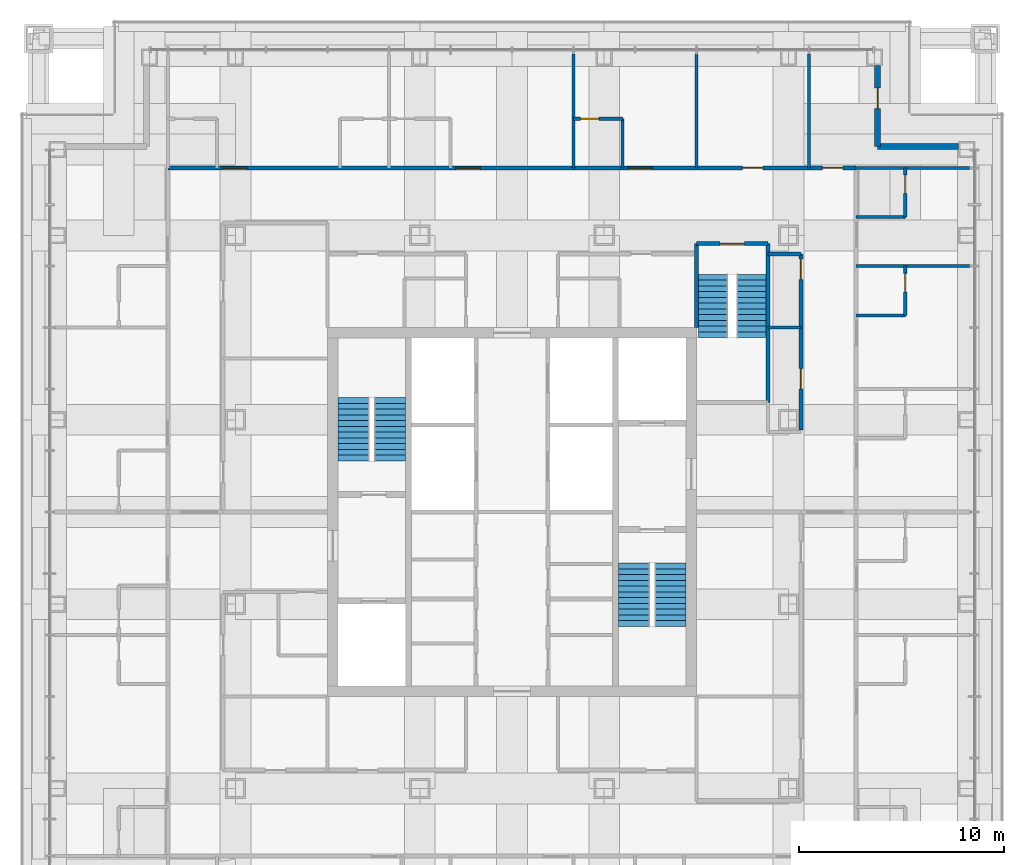
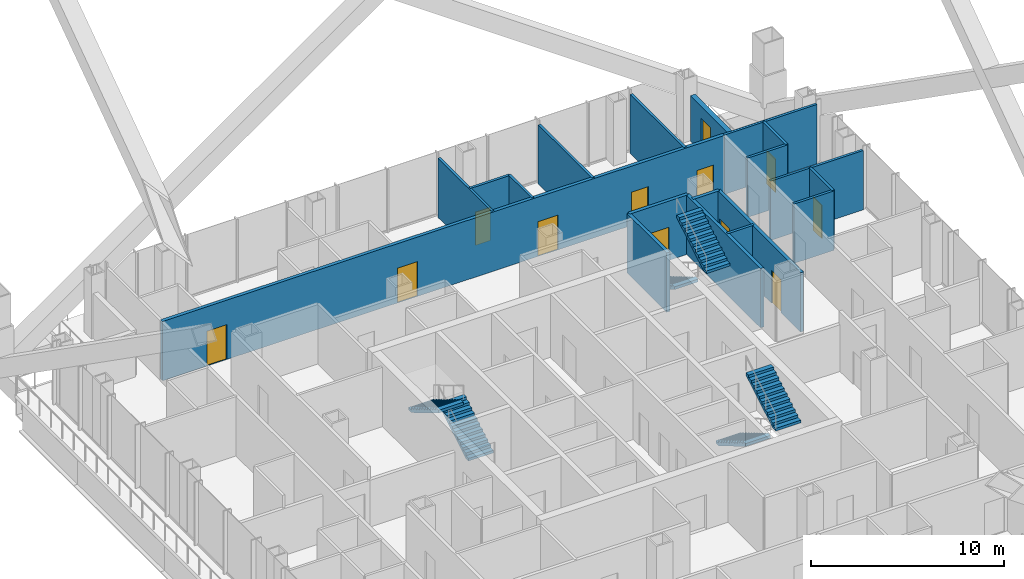
# One storey, part 15 of 18: 20 walls, 12 doors, 6 stair flights, 12 openings, 3 elements without a shape of their own.
"""IFC4 building model written with IfcOpenShell, lengths in metres."""

from ifc_helpers import new_model, si_unit, direction, frame, frame_2d, origin, place, context, subcontext, project, spatial, polyline, rectangle, outline, extrude, material, layer, layer_set, type_object, element, fill, aggregate, save


model = new_model("IFC4")

# Units and contexts
model_context = context("Model", 3, precision=1e-05, world=origin(), true_north=direction((0.0, 1.0)))
body_context = subcontext(model_context, "Body", "Model", "MODEL_VIEW")
ifc_project = project(units=[si_unit("LENGTHUNIT", "METRE"), si_unit("AREAUNIT", "SQUARE_METRE"), si_unit("VOLUMEUNIT", "CUBIC_METRE"), si_unit("PLANEANGLEUNIT", "RADIAN"), si_unit("MASSUNIT", "GRAM", prefix="KILO")], contexts=[model_context])

# Site, building, storey
site_placement = place(None, origin())
site = spatial("IfcSite", under=ifc_project, at=site_placement, CompositionType="ELEMENT")
building_placement = place(site_placement, origin())
building = spatial("IfcBuilding", under=site, at=building_placement, Name="Malebo Sky Hospital", CompositionType="ELEMENT")
storey_placement = place(building_placement, frame((0.0, 0.0, 177.0)))
storey = spatial("IfcBuildingStorey", under=building, at=storey_placement, Name="L42", CompositionType="ELEMENT", Elevation=177.0)

# Wall, openings, doors
ifc_material_1 = material(Name="Gypsum board on steel studs", Category="steel")
ifc_layer_1 = layer(ifc_material_1, 0.199951171875)
ifc_layer_set_1 = layer_set([ifc_layer_1], Name="CORRIDOR WALL 200")
wall_type_1 = type_object("IfcWallType", Name="CORRIDOR WALL 200", PredefinedType="PARTITIONING", material=ifc_layer_set_1)
wall_1_placement = place(storey_placement, frame((43.199951171875, 78.800048828125, 0.0), z_axis=(0.0, 0.0, 1.0), x_axis=(1.0, 0.0, 0.0)))
wall_1 = element("IfcWall", 1, at=wall_1_placement, inside=storey, type_object=wall_type_1, Name="Corridor Wall 200 NCO", PredefinedType="PARTITIONING", context=body_context, shape_type="SweptSolid", body=[
    extrude(rectangle(XDim=33.60009765625, YDim=0.199951171875, at=frame_2d((16.800048828125, 0.0))), origin(), (0.0, 0.0, 1.0), 3.75),
])
opening_1_placement = place(wall_1_placement, frame((2.64990234375, 0.0, 0.0)))
opening_1 = element("IfcOpeningElement", 2, at=opening_1_placement, cuts=wall_1, Name="Opening D01", PredefinedType="OPENING", context=body_context, shape_type="SweptSolid", body=[
    extrude(rectangle(XDim=1.199951171875, YDim=2.199951171875, at=frame_2d((0.60009765625, 1.10009765625))), frame((0.0, 0.10986328125, 0.0), z_axis=(0.0, -1.0, 0.0), x_axis=(1.0, 0.0, 0.0)), (0.0, 0.0, 1.0), 0.219970703125),
])
opening_2_placement = place(wall_1_placement, frame((14.050048828125, 0.0, 0.0)))
opening_2 = element("IfcOpeningElement", 3, at=opening_2_placement, cuts=wall_1, Name="Opening D01", PredefinedType="OPENING", context=body_context, shape_type="SweptSolid", body=[
    extrude(rectangle(XDim=1.199951171875, YDim=2.199951171875, at=frame_2d((0.60009765625, 1.10009765625))), frame((0.0, 0.10986328125, 0.0), z_axis=(0.0, -1.0, 0.0), x_axis=(1.0, 0.0, 0.0)), (0.0, 0.0, 1.0), 0.219970703125),
])
opening_3_placement = place(wall_1_placement, frame((22.449951171875, 0.0, 0.0)))
opening_3 = element("IfcOpeningElement", 4, at=opening_3_placement, cuts=wall_1, Name="Opening D01", PredefinedType="OPENING", context=body_context, shape_type="SweptSolid", body=[
    extrude(rectangle(XDim=1.199951171875, YDim=2.199951171875, at=frame_2d((0.60009765625, 1.10009765625))), frame((0.0, 0.10986328125, 0.0), z_axis=(0.0, -1.0, 0.0), x_axis=(1.0, 0.0, 0.0)), (0.0, 0.0, 1.0), 0.219970703125),
])
opening_4_placement = place(wall_1_placement, frame((28.050048828125, 0.0, 0.0)))
opening_4 = element("IfcOpeningElement", 5, at=opening_4_placement, cuts=wall_1, Name="Opening D03", PredefinedType="OPENING", context=body_context, shape_type="SweptSolid", body=[
    extrude(rectangle(XDim=1.0, YDim=2.10009765625, at=frame_2d((0.5, 1.050048828125))), frame((0.0, 0.10986328125, 0.0), z_axis=(0.0, -1.0, 0.0), x_axis=(1.0, 0.0, 0.0)), (0.0, 0.0, 1.0), 0.219970703125),
])
opening_5_placement = place(wall_1_placement, frame((31.949951171875, 0.0, 0.0)))
opening_5 = element("IfcOpeningElement", 6, at=opening_5_placement, cuts=wall_1, Name="Opening D17", PredefinedType="OPENING", context=body_context, shape_type="SweptSolid", body=[
    extrude(rectangle(XDim=1.0, YDim=2.10009765625, at=frame_2d((0.5, 1.050048828125))), frame((0.0, 0.10986328125, 0.0), z_axis=(0.0, -1.0, 0.0), x_axis=(1.0, 0.0, 0.0)), (0.0, 0.0, 1.0), 0.219970703125),
])
ifc_material_2 = material(Name="Hardwood-faced door leaf in steel frame", Category="steel")
door_type_1 = type_object("IfcDoorType", Name="BED DOOR 1200", OperationType="SINGLE_SWING_LEFT", PredefinedType="DOOR", material=ifc_material_2)
door_1_placement = place(opening_1_placement, origin())
door_1 = element("IfcDoor", 7, at=door_1_placement, inside=storey, type_object=door_type_1, Name="Four-bed bay door", OperationType="SINGLE_SWING_LEFT", OverallHeight=2.199951171875, OverallWidth=1.199951171875, PredefinedType="DOOR", context=body_context, shape_type="SweptSolid", body=[
    extrude(rectangle(XDim=1.199951171875, YDim=2.199951171875, at=frame_2d((0.60009765625, 1.10009765625))), frame((0.0, 0.02490234375, 0.0), z_axis=(0.0, -1.0, 0.0), x_axis=(1.0, 0.0, 0.0)), (0.0, 0.0, 1.0), 0.050048828125),
])
fill(opening_1, door_1)
door_2_placement = place(opening_2_placement, origin())
door_2 = element("IfcDoor", 8, at=door_2_placement, inside=storey, type_object=door_type_1, Name="Two-bed room door", OperationType="SINGLE_SWING_LEFT", OverallHeight=2.199951171875, OverallWidth=1.199951171875, PredefinedType="DOOR", context=body_context, shape_type="SweptSolid", body=[
    extrude(rectangle(XDim=1.199951171875, YDim=2.199951171875, at=frame_2d((0.60009765625, 1.10009765625))), frame((0.0, 0.02490234375, 0.0), z_axis=(0.0, -1.0, 0.0), x_axis=(1.0, 0.0, 0.0)), (0.0, 0.0, 1.0), 0.050048828125),
])
fill(opening_2, door_2)
door_3_placement = place(opening_3_placement, origin())
door_3 = element("IfcDoor", 9, at=door_3_placement, inside=storey, type_object=door_type_1, Name="Single bed room door", OperationType="SINGLE_SWING_LEFT", OverallHeight=2.199951171875, OverallWidth=1.199951171875, PredefinedType="DOOR", context=body_context, shape_type="SweptSolid", body=[
    extrude(rectangle(XDim=1.199951171875, YDim=2.199951171875, at=frame_2d((0.60009765625, 1.10009765625))), frame((0.0, 0.02490234375, 0.0), z_axis=(0.0, -1.0, 0.0), x_axis=(1.0, 0.0, 0.0)), (0.0, 0.0, 1.0), 0.050048828125),
])
fill(opening_3, door_3)
door_type_2 = type_object("IfcDoorType", Name="FIRE DOOR 1000", OperationType="SINGLE_SWING_LEFT", PredefinedType="DOOR", material=ifc_material_2)
door_4_placement = place(opening_5_placement, origin())
door_4 = element("IfcDoor", 10, at=door_4_placement, inside=storey, type_object=door_type_2, Name="Facade maintenance store door", OperationType="SINGLE_SWING_RIGHT", OverallHeight=2.10009765625, OverallWidth=1.0, PredefinedType="DOOR", context=body_context, shape_type="SweptSolid", body=[
    extrude(rectangle(XDim=1.0, YDim=2.10009765625, at=frame_2d((0.5, 1.050048828125))), frame((0.0, 0.02490234375, 0.0), z_axis=(0.0, -1.0, 0.0), x_axis=(1.0, 0.0, 0.0)), (0.0, 0.0, 1.0), 0.050048828125),
])
fill(opening_5, door_4)
door_type_3 = type_object("IfcDoorType", Name="ROOM DOOR 1000", OperationType="SINGLE_SWING_LEFT", PredefinedType="DOOR", material=ifc_material_2)
door_5_placement = place(opening_4_placement, origin())
door_5 = element("IfcDoor", 11, at=door_5_placement, inside=storey, type_object=door_type_3, Name="Family room door", OperationType="SINGLE_SWING_LEFT", OverallHeight=2.10009765625, OverallWidth=1.0, PredefinedType="DOOR", context=body_context, shape_type="SweptSolid", body=[
    extrude(rectangle(XDim=1.0, YDim=2.10009765625, at=frame_2d((0.5, 1.050048828125))), frame((0.0, 0.02490234375, 0.0), z_axis=(0.0, -1.0, 0.0), x_axis=(1.0, 0.0, 0.0)), (0.0, 0.0, 1.0), 0.050048828125),
])
fill(opening_4, door_5)

# Wall
wall_2_placement = place(storey_placement, frame((72.5, 74.60009765625, 0.0), z_axis=(0.0, 0.0, 1.0), x_axis=(1.0, 0.0, 0.0)))
element("IfcWall", 12, at=wall_2_placement, inside=storey, type_object=wall_type_1, Name="Corridor Wall 200 NCI2/2", PredefinedType="PARTITIONING", context=body_context, shape_type="SweptSolid", body=[
    extrude(rectangle(XDim=1.60009765625, YDim=0.199951171875, at=frame_2d((0.800048828125, 0.0))), origin(), (0.0, 0.0, 1.0), 3.75),
])

# Wall, openings, doors
wall_3_placement = place(storey_placement, frame((74.10009765625, 74.60009765625, 0.0), z_axis=(0.0, 0.0, 1.0), x_axis=(0.0, -1.0, 0.0)))
wall_3 = element("IfcWall", 13, at=wall_3_placement, inside=storey, type_object=wall_type_1, Name="Corridor Wall 200 ECI1", PredefinedType="PARTITIONING", context=body_context, shape_type="SweptSolid", body=[
    extrude(rectangle(XDim=8.60009765625, YDim=0.199951171875, at=frame_2d((4.300048828125, 0.0))), origin(), (0.0, 0.0, 1.0), 3.75),
])
opening_6_placement = place(wall_3_placement, frame((0.25, 0.0, 0.0)))
opening_6 = element("IfcOpeningElement", 14, at=opening_6_placement, cuts=wall_3, Name="Opening D03", PredefinedType="OPENING", context=body_context, shape_type="SweptSolid", body=[
    extrude(rectangle(XDim=1.0, YDim=2.10009765625, at=frame_2d((0.5, 1.050048828125))), frame((0.0, 0.10986328125, 0.0), z_axis=(0.0, -1.0, 0.0), x_axis=(1.0, 0.0, 0.0)), (0.0, 0.0, 1.0), 0.219970703125),
])
opening_7_placement = place(wall_3_placement, frame((5.60009765625, 0.0, 0.0)))
opening_7 = element("IfcOpeningElement", 15, at=opening_7_placement, cuts=wall_3, Name="Opening D03", PredefinedType="OPENING", context=body_context, shape_type="SweptSolid", body=[
    extrude(rectangle(XDim=1.0, YDim=2.10009765625, at=frame_2d((0.5, 1.050048828125))), frame((0.0, 0.10986328125, 0.0), z_axis=(0.0, -1.0, 0.0), x_axis=(1.0, 0.0, 0.0)), (0.0, 0.0, 1.0), 0.219970703125),
])
door_6_placement = place(opening_6_placement, origin())
door_6 = element("IfcDoor", 16, at=door_6_placement, inside=storey, type_object=door_type_3, Name="Ward pantry door", OperationType="SINGLE_SWING_LEFT", OverallHeight=2.10009765625, OverallWidth=1.0, PredefinedType="DOOR", context=body_context, shape_type="SweptSolid", body=[
    extrude(rectangle(XDim=1.0, YDim=2.10009765625, at=frame_2d((0.5, 1.050048828125))), frame((0.0, 0.02490234375, 0.0), z_axis=(0.0, -1.0, 0.0), x_axis=(1.0, 0.0, 0.0)), (0.0, 0.0, 1.0), 0.050048828125),
])
fill(opening_6, door_6)
door_7_placement = place(opening_7_placement, origin())
door_7 = element("IfcDoor", 17, at=door_7_placement, inside=storey, type_object=door_type_3, Name="Equipment store door", OperationType="SINGLE_SWING_LEFT", OverallHeight=2.10009765625, OverallWidth=1.0, PredefinedType="DOOR", context=body_context, shape_type="SweptSolid", body=[
    extrude(rectangle(XDim=1.0, YDim=2.10009765625, at=frame_2d((0.5, 1.050048828125))), frame((0.0, 0.02490234375, 0.0), z_axis=(0.0, -1.0, 0.0), x_axis=(1.0, 0.0, 0.0)), (0.0, 0.0, 1.0), 0.050048828125),
])
fill(opening_7, door_7)

# Wall, opening, door
ifc_material_3 = material(Name="Anodised aluminium rainscreen on steel framing", Category="steel")
ifc_layer_2 = layer(ifc_material_3, 0.300048828125)
ifc_layer_set_2 = layer_set([ifc_layer_2], Name="NOTCH RAINSCREEN WALL 300")
wall_type_2 = type_object("IfcWallType", Name="NOTCH RAINSCREEN WALL 300", PredefinedType="ELEMENTEDWALL", material=ifc_layer_set_2)
wall_4_placement = place(storey_placement, frame((77.85009765625, 83.800048828125, 0.0), z_axis=(0.0, 0.0, 1.0), x_axis=(0.0, -1.0, 0.0)))
wall_4 = element("IfcWall", 18, at=wall_4_placement, inside=storey, type_object=wall_type_2, Name="Notch rainscreen wall N1 L42", PredefinedType="ELEMENTEDWALL", context=body_context, shape_type="SweptSolid", body=[
    extrude(rectangle(XDim=3.949951171875, YDim=0.300048828125, at=frame_2d((1.97509765625, 0.0))), origin(), (0.0, 0.0, 1.0), 2.85009765625),
])
opening_8_placement = place(wall_4_placement, frame((1.10009765625, 0.0, 0.0)))
opening_8 = element("IfcOpeningElement", 19, at=opening_8_placement, cuts=wall_4, Name="Opening D30", PredefinedType="OPENING", context=body_context, shape_type="SweptSolid", body=[
    extrude(rectangle(XDim=1.0, YDim=2.10009765625, at=frame_2d((0.5, 1.050048828125))), frame((0.0, 0.159912109375, 0.0), z_axis=(0.0, -1.0, 0.0), x_axis=(1.0, 0.0, 0.0)), (0.0, 0.0, 1.0), 0.320068359375),
])
ifc_material_4 = material(Name="Galvanised steel weathertight door leaf in steel frame", Category="steel")
door_type_4 = type_object("IfcDoorType", Name="MAINTENANCE ACCESS DOOR 1000", OperationType="SINGLE_SWING_LEFT", PredefinedType="DOOR", material=ifc_material_4)
door_8_placement = place(opening_8_placement, frame((1.0, 0.0, 0.0), z_axis=(0.0, 0.0, 1.0), x_axis=(-1.0, 0.0, 0.0)))
door_8 = element("IfcDoor", 20, at=door_8_placement, inside=storey, type_object=door_type_4, Name="Maintenance access door to roof", OperationType="SINGLE_SWING_LEFT", OverallHeight=2.10009765625, OverallWidth=1.0, PredefinedType="DOOR", context=body_context, shape_type="SweptSolid", body=[
    extrude(rectangle(XDim=1.0, YDim=2.10009765625, at=frame_2d((0.5, 1.050048828125))), frame((0.0, 0.02490234375, 0.0), z_axis=(0.0, -1.0, 0.0), x_axis=(1.0, 0.0, 0.0)), (0.0, 0.0, 1.0), 0.050048828125),
])
fill(opening_8, door_8)

# Walls
wall_5_placement = place(storey_placement, frame((77.85009765625, 79.85009765625, 0.0), z_axis=(0.0, 0.0, 1.0), x_axis=(1.0, 0.0, 0.0)))
element("IfcWall", 21, at=wall_5_placement, inside=storey, type_object=wall_type_2, Name="Notch rainscreen wall N2 L42", PredefinedType="ELEMENTEDWALL", context=body_context, shape_type="SweptSolid", body=[
    extrude(rectangle(XDim=3.949951171875, YDim=0.300048828125, at=frame_2d((1.97509765625, 0.0))), origin(), (0.0, 0.0, 1.0), 2.85009765625),
])
ifc_layer_3 = layer(ifc_material_1, 0.14990234375)
ifc_layer_set_3 = layer_set([ifc_layer_3], Name="PARTITION 150")
wall_type_3 = type_object("IfcWallType", Name="PARTITION 150", PredefinedType="PARTITIONING", material=ifc_layer_set_3)
for number, where, z_axis, x_axis, name in (
    (22, (63.0, 78.800048828125, 0.0), (0.0, 0.0, 1.0), (0.0, 1.0, 0.0), "Partition 150 NP+3.0"),
    (23, (69.0, 78.800048828125, 0.0), (0.0, 0.0, 1.0), (0.0, 1.0, 0.0), "Partition 150 NP+9.0"),
    (24, (74.5, 78.800048828125, 0.0), (0.0, 0.0, 1.0), (0.0, 1.0, 0.0), "Partition 150 NP+14.5"),
):
    element("IfcWall", number, at=place(storey_placement, frame(where, z_axis=z_axis, x_axis=x_axis)), inside=storey, type_object=wall_type_3, Name=name, PredefinedType="PARTITIONING", context=body_context, shape_type="SweptSolid", body=[
        extrude(rectangle(XDim=5.550048828125, YDim=0.14990234375, at=frame_2d((2.77490234375, 0.0))), origin(), (0.0, 0.0, 1.0), 3.75),
    ])

# Wall, opening, door
wall_6_placement = place(storey_placement, frame((63.0, 81.199951171875, 0.0), z_axis=(0.0, 0.0, 1.0), x_axis=(1.0, 0.0, 0.0)))
wall_6 = element("IfcWall", 25, at=wall_6_placement, inside=storey, type_object=wall_type_3, Name="Partition 150 NE2F", PredefinedType="PARTITIONING", context=body_context, shape_type="SweptSolid", body=[
    extrude(rectangle(XDim=2.39990234375, YDim=0.14990234375, at=frame_2d((1.199951171875, 0.0))), origin(), (0.0, 0.0, 1.0), 3.75),
])
opening_9_placement = place(wall_6_placement, frame((0.35009765625, 0.0, 0.0)))
opening_9 = element("IfcOpeningElement", 26, at=opening_9_placement, cuts=wall_6, Name="Opening D02", PredefinedType="OPENING", context=body_context, shape_type="SweptSolid", body=[
    extrude(rectangle(XDim=0.89990234375, YDim=2.10009765625, at=frame_2d((0.449951171875, 1.050048828125))), frame((0.0, 0.0849609375, 0.0), z_axis=(0.0, -1.0, 0.0), x_axis=(1.0, 0.0, 0.0)), (0.0, 0.0, 1.0), 0.169921875),
])
door_type_5 = type_object("IfcDoorType", Name="EN-SUITE DOOR 900", OperationType="SINGLE_SWING_LEFT", PredefinedType="DOOR", material=ifc_material_2)
door_9_placement = place(opening_9_placement, origin())
door_9 = element("IfcDoor", 27, at=door_9_placement, inside=storey, type_object=door_type_5, Name="En-suite door", OperationType="SINGLE_SWING_LEFT", OverallHeight=2.10009765625, OverallWidth=0.89990234375, PredefinedType="DOOR", context=body_context, shape_type="SweptSolid", body=[
    extrude(rectangle(XDim=0.89990234375, YDim=2.10009765625, at=frame_2d((0.449951171875, 1.050048828125))), frame((0.0, 0.02490234375, 0.0), z_axis=(0.0, -1.0, 0.0), x_axis=(1.0, 0.0, 0.0)), (0.0, 0.0, 1.0), 0.050048828125),
])
fill(opening_9, door_9)

# Walls
wall_7_placement = place(storey_placement, frame((65.39990234375, 78.800048828125, 0.0), z_axis=(0.0, 0.0, 1.0), x_axis=(0.0, 1.0, 0.0)))
element("IfcWall", 28, at=wall_7_placement, inside=storey, type_object=wall_type_3, Name="Partition 150 NE2S", PredefinedType="PARTITIONING", context=body_context, shape_type="SweptSolid", body=[
    extrude(rectangle(XDim=2.39990234375, YDim=0.14990234375, at=frame_2d((1.199951171875, 0.0))), origin(), (0.0, 0.0, 1.0), 3.75),
])
for number, where, z_axis, x_axis, name in (
    (29, (76.800048828125, 74.0, 0.0), (0.0, 0.0, 1.0), (1.0, 0.0, 0.0), "Partition 150 EP-12.0"),
    (30, (76.800048828125, 78.800048828125, 0.0), (0.0, 0.0, 1.0), (1.0, 0.0, 0.0), "Partition 150 EP0"),
):
    element("IfcWall", number, at=place(storey_placement, frame(where, z_axis=z_axis, x_axis=x_axis)), inside=storey, type_object=wall_type_3, Name=name, PredefinedType="PARTITIONING", context=body_context, shape_type="SweptSolid", body=[
        extrude(rectangle(XDim=5.550048828125, YDim=0.14990234375, at=frame_2d((2.77490234375, 0.0))), origin(), (0.0, 0.0, 1.0), 3.75),
    ])

# Wall, opening, door
wall_8_placement = place(storey_placement, frame((79.199951171875, 78.800048828125, 0.0), z_axis=(0.0, 0.0, 1.0), x_axis=(0.0, -1.0, 0.0)))
wall_8 = element("IfcWall", 31, at=wall_8_placement, inside=storey, type_object=wall_type_3, Name="Partition 150 EE0F", PredefinedType="PARTITIONING", context=body_context, shape_type="SweptSolid", body=[
    extrude(rectangle(XDim=2.400146484375, YDim=0.14990234375, at=frame_2d((1.2001953125, 0.0))), origin(), (0.0, 0.0, 1.0), 3.75),
])
opening_10_placement = place(wall_8_placement, frame((0.35009765625, 0.0, 0.0)))
opening_10 = element("IfcOpeningElement", 32, at=opening_10_placement, cuts=wall_8, Name="Opening D02", PredefinedType="OPENING", context=body_context, shape_type="SweptSolid", body=[
    extrude(rectangle(XDim=0.89990234375, YDim=2.10009765625, at=frame_2d((0.449951171875, 1.050048828125))), frame((0.0, 0.0849609375, 0.0), z_axis=(0.0, -1.0, 0.0), x_axis=(1.0, 0.0, 0.0)), (0.0, 0.0, 1.0), 0.169921875),
])
door_10_placement = place(opening_10_placement, origin())
door_10 = element("IfcDoor", 33, at=door_10_placement, inside=storey, type_object=door_type_5, Name="En-suite door", OperationType="SINGLE_SWING_LEFT", OverallHeight=2.10009765625, OverallWidth=0.89990234375, PredefinedType="DOOR", context=body_context, shape_type="SweptSolid", body=[
    extrude(rectangle(XDim=0.89990234375, YDim=2.10009765625, at=frame_2d((0.449951171875, 1.050048828125))), frame((0.0, 0.02490234375, 0.0), z_axis=(0.0, -1.0, 0.0), x_axis=(1.0, 0.0, 0.0)), (0.0, 0.0, 1.0), 0.050048828125),
])
fill(opening_10, door_10)

# Wall
wall_9_placement = place(storey_placement, frame((76.800048828125, 76.39990234375, 0.0), z_axis=(0.0, 0.0, 1.0), x_axis=(1.0, 0.0, 0.0)))
element("IfcWall", 34, at=wall_9_placement, inside=storey, type_object=wall_type_3, Name="Partition 150 EE0S", PredefinedType="PARTITIONING", context=body_context, shape_type="SweptSolid", body=[
    extrude(rectangle(XDim=2.39990234375, YDim=0.14990234375, at=frame_2d((1.199951171875, 0.0))), origin(), (0.0, 0.0, 1.0), 3.75),
])

# Wall, opening, door
wall_10_placement = place(storey_placement, frame((79.199951171875, 74.0, 0.0), z_axis=(0.0, 0.0, 1.0), x_axis=(0.0, -1.0, 0.0)))
wall_10 = element("IfcWall", 35, at=wall_10_placement, inside=storey, type_object=wall_type_3, Name="Partition 150 EE1F", PredefinedType="PARTITIONING", context=body_context, shape_type="SweptSolid", body=[
    extrude(rectangle(XDim=2.39990234375, YDim=0.14990234375, at=frame_2d((1.199951171875, 0.0))), origin(), (0.0, 0.0, 1.0), 3.75),
])
opening_11_placement = place(wall_10_placement, frame((0.35009765625, 0.0, 0.0)))
opening_11 = element("IfcOpeningElement", 36, at=opening_11_placement, cuts=wall_10, Name="Opening D02", PredefinedType="OPENING", context=body_context, shape_type="SweptSolid", body=[
    extrude(rectangle(XDim=0.89990234375, YDim=2.10009765625, at=frame_2d((0.449951171875, 1.050048828125))), frame((0.0, 0.0849609375, 0.0), z_axis=(0.0, -1.0, 0.0), x_axis=(1.0, 0.0, 0.0)), (0.0, 0.0, 1.0), 0.169921875),
])
door_11_placement = place(opening_11_placement, origin())
door_11 = element("IfcDoor", 37, at=door_11_placement, inside=storey, type_object=door_type_5, Name="En-suite door", OperationType="SINGLE_SWING_LEFT", OverallHeight=2.10009765625, OverallWidth=0.89990234375, PredefinedType="DOOR", context=body_context, shape_type="SweptSolid", body=[
    extrude(rectangle(XDim=0.89990234375, YDim=2.10009765625, at=frame_2d((0.449951171875, 1.050048828125))), frame((0.0, 0.02490234375, 0.0), z_axis=(0.0, -1.0, 0.0), x_axis=(1.0, 0.0, 0.0)), (0.0, 0.0, 1.0), 0.050048828125),
])
fill(opening_11, door_11)

# Walls
wall_11_placement = place(storey_placement, frame((76.800048828125, 71.60009765625, 0.0), z_axis=(0.0, 0.0, 1.0), x_axis=(1.0, 0.0, 0.0)))
element("IfcWall", 38, at=wall_11_placement, inside=storey, type_object=wall_type_3, Name="Partition 150 EE1S", PredefinedType="PARTITIONING", context=body_context, shape_type="SweptSolid", body=[
    extrude(rectangle(XDim=2.39990234375, YDim=0.14990234375, at=frame_2d((1.199951171875, 0.0))), origin(), (0.0, 0.0, 1.0), 3.75),
])
wall_12_placement = place(storey_placement, frame((72.5, 71.0, 0.0), z_axis=(0.0, 0.0, 1.0), x_axis=(1.0, 0.0, 0.0)))
element("IfcWall", 39, at=wall_12_placement, inside=storey, type_object=wall_type_3, Name="Partition 150 ESP0", PredefinedType="PARTITIONING", context=body_context, shape_type="SweptSolid", body=[
    extrude(rectangle(XDim=1.60009765625, YDim=0.14990234375, at=frame_2d((0.800048828125, 0.0))), origin(), (0.0, 0.0, 1.0), 3.75),
])
ifc_material_5 = material(Name="Concrete C40/50", Category="concrete")
ifc_layer_4 = layer(ifc_material_5, 0.199951171875)
ifc_layer_set_4 = layer_set([ifc_layer_4], Name="STAIR ENCLOSURE WALL 200")
wall_type_4 = type_object("IfcWallType", Name="STAIR ENCLOSURE WALL 200", PredefinedType="SOLIDWALL", material=ifc_layer_set_4)
wall_13_placement = place(storey_placement, frame((69.0, 71.0, 0.0), z_axis=(0.0, 0.0, 1.0), x_axis=(0.0, 1.0, 0.0)))
element("IfcWall", 40, at=wall_13_placement, inside=storey, type_object=wall_type_4, Name="Stair Enclosure Wall 200 ST3W", PredefinedType="SOLIDWALL", context=body_context, shape_type="SweptSolid", body=[
    extrude(rectangle(XDim=4.10009765625, YDim=0.199951171875, at=frame_2d((2.050048828125, 0.0))), origin(), (0.0, 0.0, 1.0), 3.75),
])
wall_14_placement = place(storey_placement, frame((72.5, 67.35009765625, 0.0), z_axis=(0.0, 0.0, 1.0), x_axis=(0.0, 1.0, 0.0)))
element("IfcWall", 41, at=wall_14_placement, inside=storey, type_object=wall_type_4, Name="Stair Enclosure Wall 200 ST3E", PredefinedType="SOLIDWALL", context=body_context, shape_type="SweptSolid", body=[
    extrude(rectangle(XDim=7.75, YDim=0.199951171875, at=frame_2d((3.875, 0.0))), origin(), (0.0, 0.0, 1.0), 3.75),
])

# Wall, opening, door
wall_15_placement = place(storey_placement, frame((69.0, 75.10009765625, 0.0), z_axis=(0.0, 0.0, 1.0), x_axis=(1.0, 0.0, 0.0)))
wall_15 = element("IfcWall", 42, at=wall_15_placement, inside=storey, type_object=wall_type_4, Name="Stair Enclosure Wall 200 ST3N", PredefinedType="SOLIDWALL", context=body_context, shape_type="SweptSolid", body=[
    extrude(rectangle(XDim=3.5, YDim=0.199951171875, at=frame_2d((1.75, 0.0))), origin(), (0.0, 0.0, 1.0), 3.75),
])
opening_12_placement = place(wall_15_placement, frame((1.14990234375, 0.0, 0.0)))
opening_12 = element("IfcOpeningElement", 43, at=opening_12_placement, cuts=wall_15, Name="Opening D08", PredefinedType="OPENING", context=body_context, shape_type="SweptSolid", body=[
    extrude(rectangle(XDim=1.199951171875, YDim=2.10009765625, at=frame_2d((0.60009765625, 1.050048828125))), frame((0.0, 0.10986328125, 0.0), z_axis=(0.0, -1.0, 0.0), x_axis=(1.0, 0.0, 0.0)), (0.0, 0.0, 1.0), 0.219970703125),
])
door_type_6 = type_object("IfcDoorType", Name="STAIR DOOR 1200", OperationType="SINGLE_SWING_LEFT", PredefinedType="DOOR", material=ifc_material_2)
door_12_placement = place(opening_12_placement, origin())
door_12 = element("IfcDoor", 44, at=door_12_placement, inside=storey, type_object=door_type_6, Name="Stair S3 door", OperationType="SINGLE_SWING_LEFT", OverallHeight=2.10009765625, OverallWidth=1.199951171875, PredefinedType="DOOR", context=body_context, shape_type="SweptSolid", body=[
    extrude(rectangle(XDim=1.199951171875, YDim=2.10009765625, at=frame_2d((0.60009765625, 1.050048828125))), frame((0.0, 0.02490234375, 0.0), z_axis=(0.0, -1.0, 0.0), x_axis=(1.0, 0.0, 0.0)), (0.0, 0.0, 1.0), 0.050048828125),
])
fill(opening_12, door_12)

# Stair, stair flights
stair_type_1 = type_object("IfcStairType", Name="HALF-TURN STAIR 1400 R167", PredefinedType="HALF_TURN_STAIR", material=ifc_material_5)
stair_1_placement = place(storey_placement, origin())
stair_1 = element("IfcStair", 45, at=stair_1_placement, inside=storey, type_object=stair_type_1, Name="Stair S3 L42 type ST1B", PredefinedType="HALF_TURN_STAIR")
stair_flight_type_1 = type_object("IfcStairFlightType", Name="STAIR FLIGHT 1400 R167", PredefinedType="STRAIGHT", material=ifc_material_5)
stair_flight_1_placement = place(storey_placement, frame((69.800048828125, 73.60009765625, 0.0), z_axis=(0.0, 0.0, 1.0), x_axis=(0.0, -1.0, 0.0)))
stair_flight_1 = element("IfcStairFlight", 46, at=stair_flight_1_placement, type_object=stair_flight_type_1, Name="S3 flight 1 type SF1B", NumberOfRisers=12, NumberOfTreads=11, PredefinedType="STRAIGHT", RiserHeight=0.166666667, TreadLength=0.28, context=body_context, shape_type="SweptSolid", body=[
    extrude(outline(polyline([(0.0, 0.0), (0.0, 0.166748046875), (0.280029296875, 0.166748046875), (0.280029296875, 0.333251953125), (0.56005859375, 0.333251953125), (0.56005859375, 0.5), (0.840087890625, 0.5), (0.840087890625, 0.666748046875), (1.1201171875, 0.666748046875), (1.1201171875, 0.833251953125), (1.39990234375, 0.833251953125), (1.39990234375, 1.0), (1.679931640625, 1.0), (1.679931640625, 1.166748046875), (1.9599609375, 1.166748046875), (1.9599609375, 1.333251953125), (2.239990234375, 1.333251953125), (2.239990234375, 1.5), (2.52001953125, 1.5), (2.52001953125, 1.666748046875), (2.800048828125, 1.666748046875), (2.800048828125, 1.833251953125), (3.080078125, 1.833251953125), (3.080078125, 2.0), (3.080078125, 1.658935546875), (0.29296875, 0.0), (0.0, 0.0)])), frame((0.0, 0.699951171875, 0.0), z_axis=(0.0, -1.0, 0.0), x_axis=(1.0, 0.0, 0.0)), (0.0, 0.0, 1.0), 1.39990234375),
])
stair_flight_2_placement = place(storey_placement, frame((71.699951171875, 70.52001953125, 2.0), z_axis=(0.0, 0.0, 1.0), x_axis=(0.0, 1.0, 0.0)))
stair_flight_2 = element("IfcStairFlight", 47, at=stair_flight_2_placement, type_object=stair_flight_type_1, Name="S3 flight 2 type SF1B", NumberOfRisers=12, NumberOfTreads=11, PredefinedType="STRAIGHT", RiserHeight=0.166666667, TreadLength=0.28, context=body_context, shape_type="SweptSolid", body=[
    extrude(outline(polyline([(0.0, 0.0), (0.0, 0.166748046875), (0.280029296875, 0.166748046875), (0.280029296875, 0.333251953125), (0.56005859375, 0.333251953125), (0.56005859375, 0.5), (0.840087890625, 0.5), (0.840087890625, 0.666748046875), (1.1201171875, 0.666748046875), (1.1201171875, 0.833251953125), (1.39990234375, 0.833251953125), (1.39990234375, 1.0), (1.679931640625, 1.0), (1.679931640625, 1.166748046875), (1.9599609375, 1.166748046875), (1.9599609375, 1.333251953125), (2.239990234375, 1.333251953125), (2.239990234375, 1.5), (2.52001953125, 1.5), (2.52001953125, 1.666748046875), (2.800048828125, 1.666748046875), (2.800048828125, 1.833251953125), (3.080078125, 1.833251953125), (3.080078125, 2.0), (3.080078125, 1.658935546875), (0.29296875, 0.0), (0.0, 0.0)])), frame((0.0, 0.699951171875, 0.0), z_axis=(0.0, -1.0, 0.0), x_axis=(1.0, 0.0, 0.0)), (0.0, 0.0, 1.0), 1.39990234375),
])
aggregate(stair_1, [stair_flight_1, stair_flight_2])

stair_type_2 = type_object("IfcStairType", Name="HALF-TURN STAIR 1500 R167", PredefinedType="HALF_TURN_STAIR", material=ifc_material_5)
stair_2_placement = place(storey_placement, origin())
stair_2 = element("IfcStair", 48, at=stair_2_placement, inside=storey, type_object=stair_type_2, Name="Stair S1 L42 type ST1", PredefinedType="HALF_TURN_STAIR")
stair_flight_type_2 = type_object("IfcStairFlightType", Name="STAIR FLIGHT 1500 R167", PredefinedType="STRAIGHT", material=ifc_material_5)
stair_flight_3_placement = place(storey_placement, frame((54.050048828125, 64.5, 0.0), z_axis=(0.0, 0.0, 1.0), x_axis=(0.0, 1.0, 0.0)))
stair_flight_3 = element("IfcStairFlight", 49, at=stair_flight_3_placement, type_object=stair_flight_type_2, Name="S1 flight 1 type SF1", NumberOfRisers=12, NumberOfTreads=11, PredefinedType="STRAIGHT", RiserHeight=0.166666667, TreadLength=0.28, context=body_context, shape_type="SweptSolid", body=[
    extrude(outline(polyline([(0.0, 0.0), (0.0, 0.166748046875), (0.280029296875, 0.166748046875), (0.280029296875, 0.333251953125), (0.56005859375, 0.333251953125), (0.56005859375, 0.5), (0.840087890625, 0.5), (0.840087890625, 0.666748046875), (1.1201171875, 0.666748046875), (1.1201171875, 0.833251953125), (1.39990234375, 0.833251953125), (1.39990234375, 1.0), (1.679931640625, 1.0), (1.679931640625, 1.166748046875), (1.9599609375, 1.166748046875), (1.9599609375, 1.333251953125), (2.239990234375, 1.333251953125), (2.239990234375, 1.5), (2.52001953125, 1.5), (2.52001953125, 1.666748046875), (2.800048828125, 1.666748046875), (2.800048828125, 1.833251953125), (3.080078125, 1.833251953125), (3.080078125, 2.0), (3.080078125, 1.658935546875), (0.29296875, 0.0), (0.0, 0.0)])), frame((0.0, 0.75, 0.0), z_axis=(0.0, -1.0, 0.0), x_axis=(1.0, 0.0, 0.0)), (0.0, 0.0, 1.0), 1.5),
])
stair_flight_4_placement = place(storey_placement, frame((52.25, 67.580078125, 2.0), z_axis=(0.0, 0.0, 1.0), x_axis=(0.0, -1.0, 0.0)))
stair_flight_4 = element("IfcStairFlight", 50, at=stair_flight_4_placement, type_object=stair_flight_type_2, Name="S1 flight 2 type SF1", NumberOfRisers=12, NumberOfTreads=11, PredefinedType="STRAIGHT", RiserHeight=0.166666667, TreadLength=0.28, context=body_context, shape_type="SweptSolid", body=[
    extrude(outline(polyline([(0.0, 0.0), (0.0, 0.166748046875), (0.280029296875, 0.166748046875), (0.280029296875, 0.333251953125), (0.56005859375, 0.333251953125), (0.56005859375, 0.5), (0.840087890625, 0.5), (0.840087890625, 0.666748046875), (1.1201171875, 0.666748046875), (1.1201171875, 0.833251953125), (1.39990234375, 0.833251953125), (1.39990234375, 1.0), (1.679931640625, 1.0), (1.679931640625, 1.166748046875), (1.9599609375, 1.166748046875), (1.9599609375, 1.333251953125), (2.239990234375, 1.333251953125), (2.239990234375, 1.5), (2.52001953125, 1.5), (2.52001953125, 1.666748046875), (2.800048828125, 1.666748046875), (2.800048828125, 1.833251953125), (3.080078125, 1.833251953125), (3.080078125, 2.0), (3.080078125, 1.658935546875), (0.29296875, 0.0), (0.0, 0.0)])), frame((0.0, 0.75, 0.0), z_axis=(0.0, -1.0, 0.0), x_axis=(1.0, 0.0, 0.0)), (0.0, 0.0, 1.0), 1.5),
])
aggregate(stair_2, [stair_flight_3, stair_flight_4])

stair_3_placement = place(storey_placement, origin())
stair_3 = element("IfcStair", 51, at=stair_3_placement, inside=storey, type_object=stair_type_2, Name="Stair S2 L42 type ST1", PredefinedType="HALF_TURN_STAIR")
stair_flight_5_placement = place(storey_placement, frame((65.949951171875, 59.5, 0.0), z_axis=(0.0, 0.0, 1.0), x_axis=(0.0, -1.0, 0.0)))
stair_flight_5 = element("IfcStairFlight", 52, at=stair_flight_5_placement, type_object=stair_flight_type_2, Name="S2 flight 1 type SF1", NumberOfRisers=12, NumberOfTreads=11, PredefinedType="STRAIGHT", RiserHeight=0.166666667, TreadLength=0.28, context=body_context, shape_type="SweptSolid", body=[
    extrude(outline(polyline([(0.0, 0.0), (0.0, 0.166748046875), (0.280029296875, 0.166748046875), (0.280029296875, 0.333251953125), (0.56005859375, 0.333251953125), (0.56005859375, 0.5), (0.840087890625, 0.5), (0.840087890625, 0.666748046875), (1.1201171875, 0.666748046875), (1.1201171875, 0.833251953125), (1.39990234375, 0.833251953125), (1.39990234375, 1.0), (1.679931640625, 1.0), (1.679931640625, 1.166748046875), (1.9599609375, 1.166748046875), (1.9599609375, 1.333251953125), (2.239990234375, 1.333251953125), (2.239990234375, 1.5), (2.52001953125, 1.5), (2.52001953125, 1.666748046875), (2.800048828125, 1.666748046875), (2.800048828125, 1.833251953125), (3.080078125, 1.833251953125), (3.080078125, 2.0), (3.080078125, 1.658935546875), (0.29296875, 0.0), (0.0, 0.0)])), frame((0.0, 0.75, 0.0), z_axis=(0.0, -1.0, 0.0), x_axis=(1.0, 0.0, 0.0)), (0.0, 0.0, 1.0), 1.5),
])
stair_flight_6_placement = place(storey_placement, frame((67.75, 56.419921875, 2.0), z_axis=(0.0, 0.0, 1.0), x_axis=(0.0, 1.0, 0.0)))
stair_flight_6 = element("IfcStairFlight", 53, at=stair_flight_6_placement, type_object=stair_flight_type_2, Name="S2 flight 2 type SF1", NumberOfRisers=12, NumberOfTreads=11, PredefinedType="STRAIGHT", RiserHeight=0.166666667, TreadLength=0.28, context=body_context, shape_type="SweptSolid", body=[
    extrude(outline(polyline([(0.0, 0.0), (0.0, 0.166748046875), (0.280029296875, 0.166748046875), (0.280029296875, 0.333251953125), (0.56005859375, 0.333251953125), (0.56005859375, 0.5), (0.840087890625, 0.5), (0.840087890625, 0.666748046875), (1.1201171875, 0.666748046875), (1.1201171875, 0.833251953125), (1.39990234375, 0.833251953125), (1.39990234375, 1.0), (1.679931640625, 1.0), (1.679931640625, 1.166748046875), (1.9599609375, 1.166748046875), (1.9599609375, 1.333251953125), (2.239990234375, 1.333251953125), (2.239990234375, 1.5), (2.52001953125, 1.5), (2.52001953125, 1.666748046875), (2.800048828125, 1.666748046875), (2.800048828125, 1.833251953125), (3.080078125, 1.833251953125), (3.080078125, 2.0), (3.080078125, 1.658935546875), (0.29296875, 0.0), (0.0, 0.0)])), frame((0.0, 0.75, 0.0), z_axis=(0.0, -1.0, 0.0), x_axis=(1.0, 0.0, 0.0)), (0.0, 0.0, 1.0), 1.5),
])
aggregate(stair_3, [stair_flight_5, stair_flight_6])

save(model, "model.ifc")
